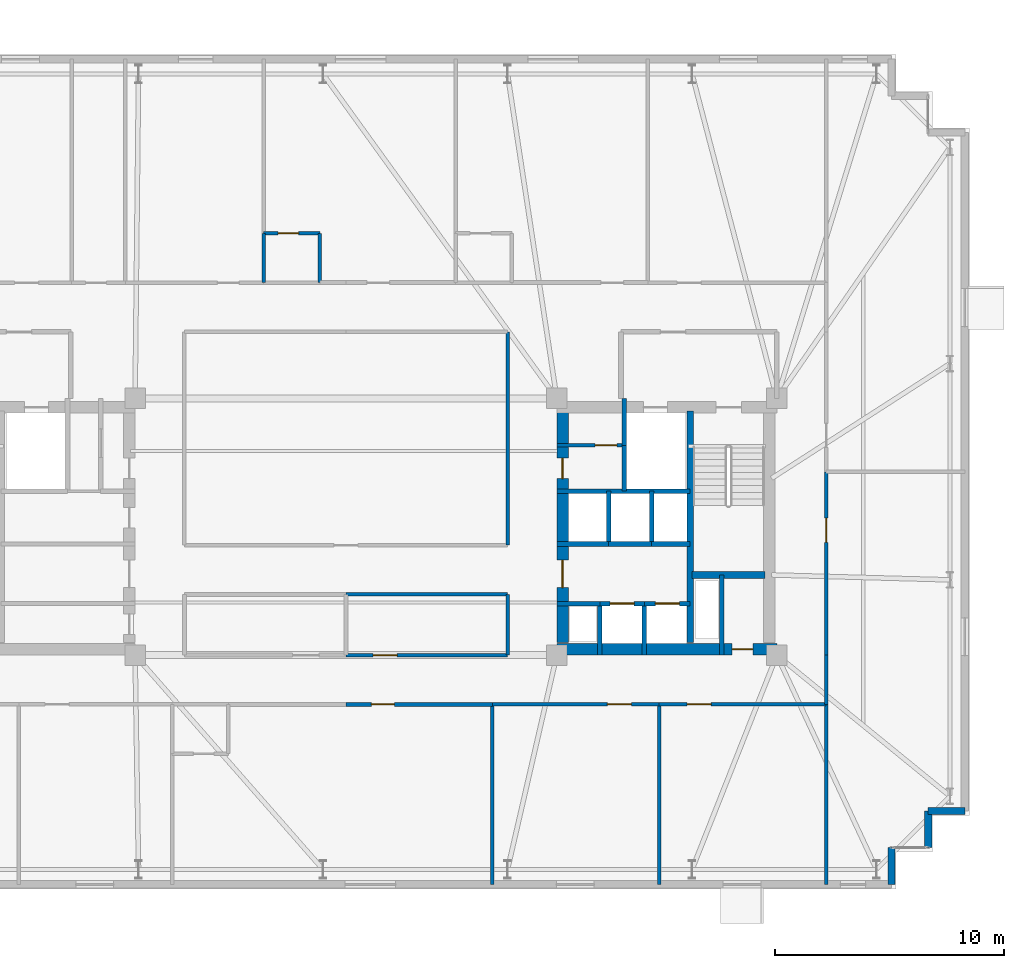
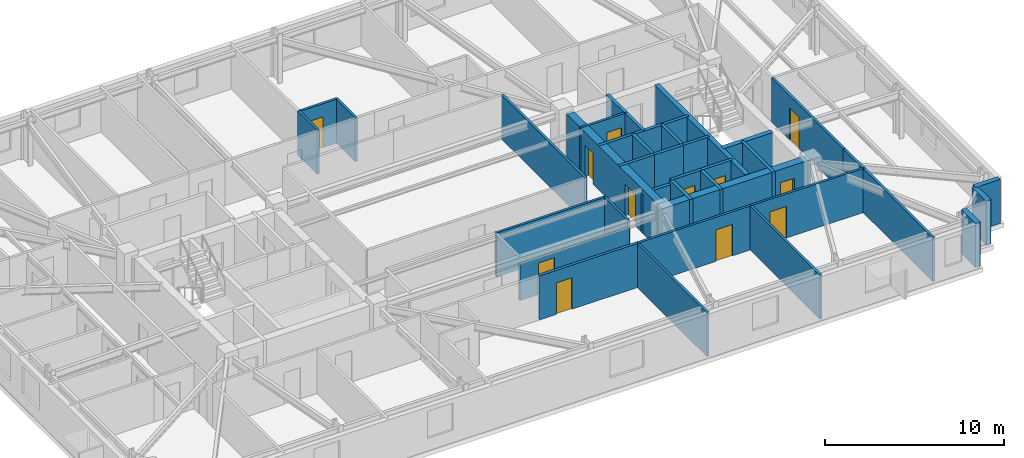
# One storey, part 13 of 17: 37 walls, 12 doors, 12 openings.
"""IFC4 building model written with IfcOpenShell, lengths in metres."""

from ifc_helpers import new_model, si_unit, direction, frame, frame_2d, origin, place, context, subcontext, project, spatial, rectangle, extrude, material, layer, layer_set, type_object, element, fill, save


model = new_model("IFC4")

# Units and contexts
model_context = context("Model", 3, precision=1e-05, world=origin(), true_north=direction((0.0, 1.0)))
body_context = subcontext(model_context, "Body", "Model", "MODEL_VIEW")
ifc_project = project(units=[si_unit("LENGTHUNIT", "METRE"), si_unit("AREAUNIT", "SQUARE_METRE"), si_unit("VOLUMEUNIT", "CUBIC_METRE"), si_unit("PLANEANGLEUNIT", "RADIAN"), si_unit("MASSUNIT", "GRAM", prefix="KILO")], contexts=[model_context])

# Site, building, storey
site_placement = place(None, origin())
site = spatial("IfcSite", under=ifc_project, at=site_placement, CompositionType="ELEMENT")
building_placement = place(site_placement, origin())
building = spatial("IfcBuilding", under=site, at=building_placement, Name="Qobustan Lattice House", CompositionType="ELEMENT")
storey_placement = place(building_placement, frame((0.0, 0.0, 171.199951171875)))
storey = spatial("IfcBuildingStorey", under=building, at=storey_placement, Name="L48", CompositionType="ELEMENT", Elevation=171.199951171875)

# Wall, opening, door
ifc_material_1 = material(Name="Concrete C50/60", Category="concrete")
ifc_layer_1 = layer(ifc_material_1, 0.5)
ifc_layer_set_1 = layer_set([ifc_layer_1], Name="Concrete C50/60")
wall_type_1 = type_object("IfcWallType", Name="WAL-CORE-500", PredefinedType="SHEAR", material=ifc_layer_set_1)
wall_1_placement = place(storey_placement, frame((9.199951171875, -5.35009765625, 0.0), z_axis=(0.0, 0.0, 1.0), x_axis=(1.0, 0.0, 0.0)))
wall_1 = element("IfcWall", 1, at=wall_1_placement, inside=storey, type_object=wall_type_1, Name="L48 split-core shear wall CE-S", PredefinedType="SHEAR", context=body_context, shape_type="SweptSolid", body=[
    extrude(rectangle(XDim=9.60009765625, YDim=0.5, at=frame_2d((4.800048828125, 0.0))), origin(), (0.0, 0.0, 1.0), 3.0),
])
opening_1_placement = place(wall_1_placement, frame((7.64990234375, 0.0, 0.0)))
opening_1 = element("IfcOpeningElement", 2, at=opening_1_placement, cuts=wall_1, Name="Opening RD-01", PredefinedType="OPENING", context=body_context, shape_type="SweptSolid", body=[
    extrude(rectangle(XDim=0.89990234375, YDim=2.10009765625, at=frame_2d((0.449951171875, 1.050048828125))), frame((0.0, 0.260009765625, 0.0), z_axis=(0.0, -1.0, 0.0), x_axis=(1.0, 0.0, 0.0)), (0.0, 0.0, 1.0), 0.52001953125),
])
ifc_material_2 = material(Name="Persian walnut timber and steel frame door", Category="steel")
door_type_1 = type_object("IfcDoorType", Name="DOR-RISER-FD-900x2100", OperationType="NOTDEFINED", PredefinedType="DOOR", material=ifc_material_2)
door_1_placement = place(opening_1_placement, origin())
door_1 = element("IfcDoor", 3, at=door_1_placement, inside=storey, type_object=door_type_1, Name="L48 core service riser access door E", OperationType="SINGLE_SWING_RIGHT", OverallHeight=2.10009765625, OverallWidth=0.89990234375, PredefinedType="DOOR", context=body_context, shape_type="SweptSolid", body=[
    extrude(rectangle(XDim=0.89990234375, YDim=2.10009765625, at=frame_2d((0.449951171875, 1.050048828125))), frame((0.0, 0.02490234375, 0.0), z_axis=(0.0, -1.0, 0.0), x_axis=(1.0, 0.0, 0.0)), (0.0, 0.0, 1.0), 0.050048828125),
])
fill(opening_1, door_1)

# Wall, openings, doors
wall_2_placement = place(storey_placement, frame((9.449951171875, -5.050048828125, 0.0), z_axis=(0.0, 0.0, 1.0), x_axis=(0.0, 1.0, 0.0)))
wall_2 = element("IfcWall", 4, at=wall_2_placement, inside=storey, type_object=wall_type_1, Name="L48 split-core shear wall CE-W", PredefinedType="SHEAR", context=body_context, shape_type="SweptSolid", body=[
    extrude(rectangle(XDim=10.10009765625, YDim=0.5, at=frame_2d((5.050048828125, 0.0))), origin(), (0.0, 0.0, 1.0), 3.0),
])
opening_2_placement = place(wall_2_placement, frame((7.14990234375, 0.0, 0.0)))
opening_2 = element("IfcOpeningElement", 5, at=opening_2_placement, cuts=wall_2, Name="Opening RD-01", PredefinedType="OPENING", context=body_context, shape_type="SweptSolid", body=[
    extrude(rectangle(XDim=0.89990234375, YDim=2.10009765625, at=frame_2d((0.449951171875, 1.050048828125))), frame((0.0, 0.260009765625, 0.0), z_axis=(0.0, -1.0, 0.0), x_axis=(1.0, 0.0, 0.0)), (0.0, 0.0, 1.0), 0.52001953125),
])
opening_3_placement = place(wall_2_placement, frame((2.39990234375, 0.0, 0.0)))
opening_3 = element("IfcOpeningElement", 6, at=opening_3_placement, cuts=wall_2, Name="Opening FD-01", PredefinedType="OPENING", context=body_context, shape_type="SweptSolid", body=[
    extrude(rectangle(XDim=1.199951171875, YDim=2.14990234375, at=frame_2d((0.60009765625, 1.074951171875))), frame((0.0, 0.260009765625, 0.0), z_axis=(0.0, -1.0, 0.0), x_axis=(1.0, 0.0, 0.0)), (0.0, 0.0, 1.0), 0.52001953125),
])
ifc_material_3 = material(Name="Persian walnut timber and steel frame door", Category="steel")
door_type_2 = type_object("IfcDoorType", Name="DOR-LOBBY-FD-1200x2150", OperationType="NOTDEFINED", PredefinedType="DOOR", material=ifc_material_3)
door_2_placement = place(opening_3_placement, origin())
door_2 = element("IfcDoor", 7, at=door_2_placement, inside=storey, type_object=door_type_2, Name="L48 East passenger lift lobby fire door", OperationType="SINGLE_SWING_RIGHT", OverallHeight=2.14990234375, OverallWidth=1.199951171875, PredefinedType="DOOR", context=body_context, shape_type="SweptSolid", body=[
    extrude(rectangle(XDim=1.199951171875, YDim=2.14990234375, at=frame_2d((0.60009765625, 1.074951171875))), frame((0.0, 0.02490234375, 0.0), z_axis=(0.0, -1.0, 0.0), x_axis=(1.0, 0.0, 0.0)), (0.0, 0.0, 1.0), 0.050048828125),
])
fill(opening_3, door_2)
door_3_placement = place(opening_2_placement, origin())
door_3 = element("IfcDoor", 8, at=door_3_placement, inside=storey, type_object=door_type_1, Name="L48 Housekeeping utility foyer fire door", OperationType="SINGLE_SWING_LEFT", OverallHeight=2.10009765625, OverallWidth=0.89990234375, PredefinedType="DOOR", context=body_context, shape_type="SweptSolid", body=[
    extrude(rectangle(XDim=0.89990234375, YDim=2.10009765625, at=frame_2d((0.449951171875, 1.050048828125))), frame((0.0, 0.02490234375, 0.0), z_axis=(0.0, -1.0, 0.0), x_axis=(1.0, 0.0, 0.0)), (0.0, 0.0, 1.0), 0.050048828125),
])
fill(opening_2, door_3)

# Walls
ifc_material_4 = material(Name="Concrete C50/60", Category="concrete")
ifc_layer_2 = layer(ifc_material_4, 0.280029296875)
ifc_layer_set_2 = layer_set([ifc_layer_2], Name="Concrete C50/60")
wall_type_2 = type_object("IfcWallType", Name="WAL-CORE-SPINE-280", PredefinedType="SHEAR", material=ifc_layer_set_2)
wall_3_placement = place(storey_placement, frame((15.02001953125, -5.050048828125, 0.0), z_axis=(0.0, 0.0, 1.0), x_axis=(0.0, 1.0, 0.0)))
element("IfcWall", 9, at=wall_3_placement, inside=storey, type_object=wall_type_2, Name="L48 split-core shear wall CE-M", PredefinedType="SHEAR", context=body_context, shape_type="SweptSolid", body=[
    extrude(rectangle(XDim=10.10009765625, YDim=0.300048828125, at=frame_2d((5.050048828125, 0.0))), origin(), (0.0, 0.0, 1.0), 3.0),
])
wall_4_placement = place(storey_placement, frame((15.10009765625, -2.110107421875, 0.0), z_axis=(0.0, 0.0, 1.0), x_axis=(1.0, 0.0, 0.0)))
element("IfcWall", 10, at=wall_4_placement, inside=storey, type_object=wall_type_2, Name="L48 split-core shear wall CE-ST", PredefinedType="SHEAR", context=body_context, shape_type="SweptSolid", body=[
    extrude(rectangle(XDim=3.179931640625, YDim=0.300048828125, at=frame_2d((1.58984375, 0.0))), origin(), (0.0, 0.0, 1.0), 3.0),
])
ifc_material_5 = material(Name="Precast concrete C40/50", Category="concrete")
ifc_layer_3 = layer(ifc_material_5, 0.320068359375)
ifc_layer_set_3 = layer_set([ifc_layer_3], Name="Precast concrete C40/50")
wall_type_3 = type_object("IfcWallType", Name="WAL-EXT-STONE-320", PredefinedType="SOLIDWALL", material=ifc_layer_set_3)
for number, where, z_axis, x_axis, name in (
    (11, (27.0, -12.39990234375, 0.0), (0.0, 0.0, 1.0), (-1.0, 0.0, 0.0), "L48 exterior limestone-clad wall 16"),
    (12, (25.39990234375, -12.39990234375, 0.0), (0.0, 0.0, 1.0), (0.0, -1.0, 0.0), "L48 exterior limestone-clad wall 17"),
    (13, (23.800048828125, -14.0, 0.0), (0.0, 0.0, 1.0), (0.0, -1.0, 0.0), "L48 exterior limestone-clad wall 19"),
):
    element("IfcWall", number, at=place(storey_placement, frame(where, z_axis=z_axis, x_axis=x_axis)), inside=storey, type_object=wall_type_3, Name=name, PredefinedType="SOLIDWALL", context=body_context, shape_type="SweptSolid", body=[
        extrude(rectangle(XDim=1.60009765625, YDim=0.320068359375, at=frame_2d((0.800048828125, 0.0))), origin(), (0.0, 0.0, 1.0), 3.0),
    ])

# Wall, opening, door
ifc_material_6 = material(Name="Gypsum fireboard acoustic partition", Category="gypsum")
ifc_layer_4 = layer(ifc_material_6, 0.179931640625)
ifc_layer_set_4 = layer_set([ifc_layer_4], Name="Gypsum fireboard acoustic partition")
wall_type_4 = type_object("IfcWallType", Name="WAL-FIRE-180", PredefinedType="PARTITIONING", material=ifc_layer_set_4)
wall_5_placement = place(storey_placement, frame((6.383056640625, -7.75, 0.0), z_axis=(0.0, 0.0, 1.0), x_axis=(-1.0, 0.0, 0.0)))
wall_5 = element("IfcWall", 14, at=wall_5_placement, inside=storey, type_object=wall_type_4, Name="L48 interior partition 55", PredefinedType="PARTITIONING", context=body_context, shape_type="SweptSolid", body=[
    extrude(rectangle(XDim=6.383056640625, YDim=0.179931640625, at=frame_2d((3.19140625, 0.0))), origin(), (0.0, 0.0, 1.0), 3.0),
])
opening_4_placement = place(wall_5_placement, frame((4.275146484375, 0.0, 0.0)))
opening_4 = element("IfcOpeningElement", 15, at=opening_4_placement, cuts=wall_5, Name="Opening FD-02", PredefinedType="OPENING", context=body_context, shape_type="SweptSolid", body=[
    extrude(rectangle(XDim=1.0, YDim=2.14990234375, at=frame_2d((0.5, 1.074951171875))), frame((0.0, 0.099853515625, 0.0), z_axis=(0.0, -1.0, 0.0), x_axis=(1.0, 0.0, 0.0)), (0.0, 0.0, 1.0), 0.199951171875),
])
ifc_material_7 = material(Name="Persian walnut timber and steel frame door", Category="steel")
door_type_3 = type_object("IfcDoorType", Name="DOR-UNIT-FD-1000x2150", OperationType="NOTDEFINED", PredefinedType="DOOR", material=ifc_material_7)
door_4_placement = place(opening_4_placement, origin())
door_4 = element("IfcDoor", 16, at=door_4_placement, inside=storey, type_object=door_type_3, Name="L48 South-east floor corridor to Kitchenette and studio apartment L48-S2 door", OperationType="SINGLE_SWING_LEFT", OverallHeight=2.14990234375, OverallWidth=1.0, PredefinedType="DOOR", context=body_context, shape_type="SweptSolid", body=[
    extrude(rectangle(XDim=1.0, YDim=2.14990234375, at=frame_2d((0.5, 1.074951171875))), frame((0.0, 0.02490234375, 0.0), z_axis=(0.0, -1.0, 0.0), x_axis=(1.0, 0.0, 0.0)), (0.0, 0.0, 1.0), 0.050048828125),
])
fill(opening_4, door_4)

ifc_material_8 = material(Name="Acoustic twin-stud gypsum partition", Category="gypsum")
ifc_layer_5 = layer(ifc_material_8, 0.14990234375)
ifc_layer_set_5 = layer_set([ifc_layer_5], Name="Acoustic twin-stud gypsum partition")
wall_type_5 = type_object("IfcWallType", Name="WAL-PART-150", PredefinedType="PARTITIONING", material=ifc_layer_set_5)
wall_6_placement = place(storey_placement, frame((12.14990234375, 3.550048828125, 0.0), z_axis=(0.0, 0.0, 1.0), x_axis=(-1.0, 0.0, 0.0)))
wall_6 = element("IfcWall", 17, at=wall_6_placement, inside=storey, type_object=wall_type_5, Name="L48 interior partition 21", PredefinedType="PARTITIONING", context=body_context, shape_type="SweptSolid", body=[
    extrude(rectangle(XDim=2.949951171875, YDim=0.14990234375, at=frame_2d((1.47509765625, 0.0))), origin(), (0.0, 0.0, 1.0), 3.0),
])
opening_5_placement = place(wall_6_placement, frame((0.324951171875, 0.0, 0.0)))
opening_5 = element("IfcOpeningElement", 18, at=opening_5_placement, cuts=wall_6, Name="Opening ID-01", PredefinedType="OPENING", context=body_context, shape_type="SweptSolid", body=[
    extrude(rectangle(XDim=0.949951171875, YDim=2.10009765625, at=frame_2d((0.47509765625, 1.050048828125))), frame((0.0, 0.0849609375, 0.0), z_axis=(0.0, -1.0, 0.0), x_axis=(1.0, 0.0, 0.0)), (0.0, 0.0, 1.0), 0.169921875),
])
ifc_material_9 = material(Name="Persian walnut timber and steel frame door", Category="steel")
door_type_4 = type_object("IfcDoorType", Name="DOR-ROOM-950x2100", OperationType="NOTDEFINED", PredefinedType="DOOR", material=ifc_material_9)
door_5_placement = place(opening_5_placement, origin())
door_5 = element("IfcDoor", 19, at=door_5_placement, inside=storey, type_object=door_type_4, Name="L48 Housekeeping utility foyer to Cleaner cupboard door", OperationType="SINGLE_SWING_RIGHT", OverallHeight=2.10009765625, OverallWidth=0.949951171875, PredefinedType="DOOR", context=body_context, shape_type="SweptSolid", body=[
    extrude(rectangle(XDim=0.949951171875, YDim=2.10009765625, at=frame_2d((0.47509765625, 1.050048828125))), frame((0.0, 0.02490234375, 0.0), z_axis=(0.0, -1.0, 0.0), x_axis=(1.0, 0.0, 0.0)), (0.0, 0.0, 1.0), 0.050048828125),
])
fill(opening_5, door_5)

# Wall
wall_7_placement = place(storey_placement, frame((20.949951171875, -5.60009765625, 0.0), z_axis=(0.0, 0.0, 1.0), x_axis=(0.0, -1.0, 0.0)))
element("IfcWall", 20, at=wall_7_placement, inside=storey, type_object=wall_type_5, Name="L48 interior partition 54", PredefinedType="PARTITIONING", context=body_context, shape_type="SweptSolid", body=[
    extrude(rectangle(XDim=2.14990234375, YDim=0.14990234375, at=frame_2d((1.074951171875, 0.0))), origin(), (0.0, 0.0, 1.0), 3.0),
])

# Wall, opening, door
wall_8_placement = place(storey_placement, frame((13.66650390625, -7.75, 0.0), z_axis=(0.0, 0.0, 1.0), x_axis=(-1.0, 0.0, 0.0)))
wall_8 = element("IfcWall", 21, at=wall_8_placement, inside=storey, type_object=wall_type_5, Name="L48 interior partition 56", PredefinedType="PARTITIONING", context=body_context, shape_type="SweptSolid", body=[
    extrude(rectangle(XDim=7.283447265625, YDim=0.14990234375, at=frame_2d((3.6416015625, 0.0))), origin(), (0.0, 0.0, 1.0), 3.0),
])
opening_6_placement = place(wall_8_placement, frame((1.214111328125, 0.0, 0.0)))
opening_6 = element("IfcOpeningElement", 22, at=opening_6_placement, cuts=wall_8, Name="Opening ID-02", PredefinedType="OPENING", context=body_context, shape_type="SweptSolid", body=[
    extrude(rectangle(XDim=1.050048828125, YDim=2.14990234375, at=frame_2d((0.52490234375, 1.074951171875))), frame((0.0, 0.0849609375, 0.0), z_axis=(0.0, -1.0, 0.0), x_axis=(1.0, 0.0, 0.0)), (0.0, 0.0, 1.0), 0.169921875),
])
ifc_material_10 = material(Name="Persian walnut timber and steel frame door", Category="steel")
door_type_5 = type_object("IfcDoorType", Name="DOR-STUDY-1050x2150", OperationType="NOTDEFINED", PredefinedType="DOOR", material=ifc_material_10)
door_6_placement = place(opening_6_placement, origin())
door_6 = element("IfcDoor", 23, at=door_6_placement, inside=storey, type_object=door_type_5, Name="L48 South-east floor corridor to Group study room door", OperationType="SINGLE_SWING_RIGHT", OverallHeight=2.14990234375, OverallWidth=1.050048828125, PredefinedType="DOOR", context=body_context, shape_type="SweptSolid", body=[
    extrude(rectangle(XDim=1.050048828125, YDim=2.14990234375, at=frame_2d((0.52490234375, 1.074951171875))), frame((0.0, 0.02490234375, 0.0), z_axis=(0.0, -1.0, 0.0), x_axis=(1.0, 0.0, 0.0)), (0.0, 0.0, 1.0), 0.050048828125),
])
fill(opening_6, door_6)

wall_9_placement = place(storey_placement, frame((20.949951171875, -7.75, 0.0), z_axis=(0.0, 0.0, 1.0), x_axis=(-1.0, 0.0, 0.0)))
wall_9 = element("IfcWall", 24, at=wall_9_placement, inside=storey, type_object=wall_type_5, Name="L48 interior partition 57", PredefinedType="PARTITIONING", context=body_context, shape_type="SweptSolid", body=[
    extrude(rectangle(XDim=7.283447265625, YDim=0.14990234375, at=frame_2d((3.6416015625, 0.0))), origin(), (0.0, 0.0, 1.0), 3.0),
])
opening_7_placement = place(wall_9_placement, frame((5.019287109375, 0.0, 0.0)))
opening_7 = element("IfcOpeningElement", 25, at=opening_7_placement, cuts=wall_9, Name="Opening ID-02", PredefinedType="OPENING", context=body_context, shape_type="SweptSolid", body=[
    extrude(rectangle(XDim=1.050048828125, YDim=2.14990234375, at=frame_2d((0.52490234375, 1.074951171875))), frame((0.0, 0.0849609375, 0.0), z_axis=(0.0, -1.0, 0.0), x_axis=(1.0, 0.0, 0.0)), (0.0, 0.0, 1.0), 0.169921875),
])
door_7_placement = place(opening_7_placement, origin())
door_7 = element("IfcDoor", 26, at=door_7_placement, inside=storey, type_object=door_type_5, Name="L48 South-east floor corridor to Academic seminar room door", OperationType="SINGLE_SWING_LEFT", OverallHeight=2.14990234375, OverallWidth=1.050048828125, PredefinedType="DOOR", context=body_context, shape_type="SweptSolid", body=[
    extrude(rectangle(XDim=1.050048828125, YDim=2.14990234375, at=frame_2d((0.52490234375, 1.074951171875))), frame((0.0, 0.02490234375, 0.0), z_axis=(0.0, -1.0, 0.0), x_axis=(1.0, 0.0, 0.0)), (0.0, 0.0, 1.0), 0.050048828125),
])
fill(opening_7, door_7)

wall_10_placement = place(storey_placement, frame((0.0, -5.60009765625, 0.0), z_axis=(0.0, 0.0, 1.0), x_axis=(1.0, 0.0, 0.0)))
wall_10 = element("IfcWall", 27, at=wall_10_placement, inside=storey, type_object=wall_type_5, Name="L48 interior partition 58", PredefinedType="PARTITIONING", context=body_context, shape_type="SweptSolid", body=[
    extrude(rectangle(XDim=7.050048828125, YDim=0.14990234375, at=frame_2d((3.52490234375, 0.0))), origin(), (0.0, 0.0, 1.0), 2.485107421875),
])
opening_8_placement = place(wall_10_placement, frame((1.18505859375, 0.0, 0.0)))
opening_8 = element("IfcOpeningElement", 28, at=opening_8_placement, cuts=wall_10, Name="Opening ID-02", PredefinedType="OPENING", context=body_context, shape_type="SweptSolid", body=[
    extrude(rectangle(XDim=1.050048828125, YDim=2.14990234375, at=frame_2d((0.52490234375, 1.074951171875))), frame((0.0, 0.0849609375, 0.0), z_axis=(0.0, -1.0, 0.0), x_axis=(1.0, 0.0, 0.0)), (0.0, 0.0, 1.0), 0.169921875),
])
door_8_placement = place(opening_8_placement, origin())
door_8 = element("IfcDoor", 29, at=door_8_placement, inside=storey, type_object=door_type_5, Name="L48 South-east floor corridor to Silent study room door", OperationType="SINGLE_SWING_RIGHT", OverallHeight=2.14990234375, OverallWidth=1.050048828125, PredefinedType="DOOR", context=body_context, shape_type="SweptSolid", body=[
    extrude(rectangle(XDim=1.050048828125, YDim=2.14990234375, at=frame_2d((0.52490234375, 1.074951171875))), frame((0.0, 0.02490234375, 0.0), z_axis=(0.0, -1.0, 0.0), x_axis=(1.0, 0.0, 0.0)), (0.0, 0.0, 1.0), 0.050048828125),
])
fill(opening_8, door_8)

wall_11_placement = place(storey_placement, frame((20.949951171875, 2.39990234375, 0.0), z_axis=(0.0, 0.0, 1.0), x_axis=(0.0, -1.0, 0.0)))
wall_11 = element("IfcWall", 30, at=wall_11_placement, inside=storey, type_object=wall_type_5, Name="L48 interior partition 60", PredefinedType="PARTITIONING", context=body_context, shape_type="SweptSolid", body=[
    extrude(rectangle(XDim=8.0, YDim=0.14990234375, at=frame_2d((4.0, 0.0))), origin(), (0.0, 0.0, 1.0), 3.0),
])
opening_9_placement = place(wall_11_placement, frame((2.027587890625, 0.0, 0.0)))
opening_9 = element("IfcOpeningElement", 31, at=opening_9_placement, cuts=wall_11, Name="Opening ID-02", PredefinedType="OPENING", context=body_context, shape_type="SweptSolid", body=[
    extrude(rectangle(XDim=1.050048828125, YDim=2.14990234375, at=frame_2d((0.52490234375, 1.074951171875))), frame((0.0, 0.0849609375, 0.0), z_axis=(0.0, -1.0, 0.0), x_axis=(1.0, 0.0, 0.0)), (0.0, 0.0, 1.0), 0.169921875),
])
door_9_placement = place(opening_9_placement, origin())
door_9 = element("IfcDoor", 32, at=door_9_placement, inside=storey, type_object=door_type_5, Name="L48 East wing spine gallery to Fellows reading room door", OperationType="SINGLE_SWING_RIGHT", OverallHeight=2.14990234375, OverallWidth=1.050048828125, PredefinedType="DOOR", context=body_context, shape_type="SweptSolid", body=[
    extrude(rectangle(XDim=1.050048828125, YDim=2.14990234375, at=frame_2d((0.52490234375, 1.074951171875))), frame((0.0, 0.02490234375, 0.0), z_axis=(0.0, -1.0, 0.0), x_axis=(1.0, 0.0, 0.0)), (0.0, 0.0, 1.0), 0.050048828125),
])
fill(opening_9, door_9)

# Walls
wall_12_placement = place(storey_placement, frame((7.050048828125, -2.949951171875, 0.0), z_axis=(0.0, 0.0, 1.0), x_axis=(-1.0, 0.0, 0.0)))
element("IfcWall", 33, at=wall_12_placement, inside=storey, type_object=wall_type_5, Name="L48 interior partition 64", PredefinedType="PARTITIONING", context=body_context, shape_type="SweptSolid", body=[
    extrude(rectangle(XDim=7.050048828125, YDim=0.14990234375, at=frame_2d((3.52490234375, 0.0))), origin(), (0.0, 0.0, 1.0), 3.0),
])
wall_13_placement = place(storey_placement, frame((7.050048828125, -0.800048828125, 0.0), z_axis=(0.0, 0.0, 1.0), x_axis=(0.0, 1.0, 0.0)))
element("IfcWall", 34, at=wall_13_placement, inside=storey, type_object=wall_type_5, Name="L48 interior partition 67", PredefinedType="PARTITIONING", context=body_context, shape_type="SweptSolid", body=[
    extrude(rectangle(XDim=9.300048828125, YDim=0.14990234375, at=frame_2d((4.64990234375, 0.0))), origin(), (0.0, 0.0, 1.0), 3.0),
])
wall_14_placement = place(storey_placement, frame((7.050048828125, -5.60009765625, 0.0), z_axis=(0.0, 0.0, 1.0), x_axis=(0.0, 1.0, 0.0)))
element("IfcWall", 35, at=wall_14_placement, inside=storey, type_object=wall_type_5, Name="L48 interior partition 68", PredefinedType="PARTITIONING", context=body_context, shape_type="SweptSolid", body=[
    extrude(rectangle(XDim=2.650146484375, YDim=0.14990234375, at=frame_2d((1.3251953125, 0.0))), origin(), (0.0, 0.0, 1.0), 3.0),
])
for number, where, z_axis, x_axis, name in (
    (36, (20.949951171875, -15.60009765625, 0.0), (0.0, 0.0, 1.0), (0.0, 1.0, 0.0), "L48 interior partition 87"),
    (37, (6.383056640625, -7.75, 0.0), (0.0, 0.0, 1.0), (0.0, -1.0, 0.0), "L48 interior partition 106"),
    (38, (13.66650390625, -7.75, 0.0), (0.0, 0.0, 1.0), (0.0, -1.0, 0.0), "L48 interior partition 107"),
):
    element("IfcWall", number, at=place(storey_placement, frame(where, z_axis=z_axis, x_axis=x_axis)), inside=storey, type_object=wall_type_5, Name=name, PredefinedType="PARTITIONING", context=body_context, shape_type="SweptSolid", body=[
        extrude(rectangle(XDim=7.85009765625, YDim=0.14990234375, at=frame_2d((3.925048828125, 0.0))), origin(), (0.0, 0.0, 1.0), 3.0),
    ])
ifc_material_11 = material(Name="Concrete C40/50", Category="concrete")
ifc_layer_6 = layer(ifc_material_11, 0.199951171875)
ifc_layer_set_6 = layer_set([ifc_layer_6], Name="Concrete C40/50")
wall_type_6 = type_object("IfcWallType", Name="WAL-SHAFT-200", PredefinedType="PARTITIONING", material=ifc_layer_set_6)
wall_15_placement = place(storey_placement, frame((16.39990234375, -2.110107421875, 0.0), z_axis=(0.0, 0.0, 1.0), x_axis=(0.0, -1.0, 0.0)))
element("IfcWall", 39, at=wall_15_placement, inside=storey, type_object=wall_type_6, Name="L48 interior partition 15", PredefinedType="PARTITIONING", context=body_context, shape_type="SweptSolid", body=[
    extrude(rectangle(XDim=3.489990234375, YDim=0.199951171875, at=frame_2d((1.7451171875, 0.0))), origin(), (0.0, 0.0, 1.0), 3.0),
])
wall_16_placement = place(storey_placement, frame((12.14990234375, 3.550048828125, 0.0), z_axis=(0.0, 0.0, 1.0), x_axis=(0.0, -1.0, 0.0)))
element("IfcWall", 40, at=wall_16_placement, inside=storey, type_object=wall_type_6, Name="L48 interior partition 16", PredefinedType="PARTITIONING", context=body_context, shape_type="SweptSolid", body=[
    extrude(rectangle(XDim=2.0, YDim=0.199951171875, at=frame_2d((1.0, 0.0))), origin(), (0.0, 0.0, 1.0), 3.0),
])
wall_17_placement = place(storey_placement, frame((12.14990234375, 5.60009765625, 0.0), z_axis=(0.0, 0.0, 1.0), x_axis=(0.0, -1.0, 0.0)))
element("IfcWall", 41, at=wall_17_placement, inside=storey, type_object=wall_type_6, Name="L48 interior partition 17", PredefinedType="PARTITIONING", context=body_context, shape_type="SweptSolid", body=[
    extrude(rectangle(XDim=2.050048828125, YDim=0.199951171875, at=frame_2d((1.02490234375, 0.0))), origin(), (0.0, 0.0, 1.0), 3.0),
])
wall_18_placement = place(storey_placement, frame((9.199951171875, -3.35009765625, 0.0), z_axis=(0.0, 0.0, 1.0), x_axis=(1.0, 0.0, 0.0)))
element("IfcWall", 42, at=wall_18_placement, inside=storey, type_object=wall_type_6, Name="L48 interior partition 23", PredefinedType="PARTITIONING", context=body_context, shape_type="SweptSolid", body=[
    extrude(rectangle(XDim=1.880126953125, YDim=0.199951171875, at=frame_2d((0.93994140625, 0.0))), origin(), (0.0, 0.0, 1.0), 2.715087890625),
])

# Wall, opening, door
wall_19_placement = place(storey_placement, frame((11.080078125, -3.35009765625, 0.0), z_axis=(0.0, 0.0, 1.0), x_axis=(1.0, 0.0, 0.0)))
wall_19 = element("IfcWall", 43, at=wall_19_placement, inside=storey, type_object=wall_type_6, Name="L48 interior partition 24", PredefinedType="PARTITIONING", context=body_context, shape_type="SweptSolid", body=[
    extrude(rectangle(XDim=1.93994140625, YDim=0.199951171875, at=frame_2d((0.969970703125, 0.0))), origin(), (0.0, 0.0, 1.0), 3.0),
])
opening_10_placement = place(wall_19_placement, frame((0.445068359375, 0.0, 0.0)))
opening_10 = element("IfcOpeningElement", 44, at=opening_10_placement, cuts=wall_19, Name="Opening LD-01", PredefinedType="OPENING", context=body_context, shape_type="SweptSolid", body=[
    extrude(rectangle(XDim=1.050048828125, YDim=2.10009765625, at=frame_2d((0.52490234375, 1.050048828125))), frame((0.0, 0.10986328125, 0.0), z_axis=(0.0, -1.0, 0.0), x_axis=(1.0, 0.0, 0.0)), (0.0, 0.0, 1.0), 0.219970703125),
])
ifc_material_12 = material(Name="Persian walnut timber and steel frame door", Category="steel")
door_type_6 = type_object("IfcDoorType", Name="DOR-LIFT-LD-1050x2100", OperationType="NOTDEFINED", PredefinedType="DOOR", material=ifc_material_12)
door_10_placement = place(opening_10_placement, origin())
door_10 = element("IfcDoor", 45, at=door_10_placement, inside=storey, type_object=door_type_6, Name="L48 lift landing door", OperationType="DOUBLE_DOOR_SLIDING", OverallHeight=2.10009765625, OverallWidth=1.050048828125, PredefinedType="DOOR", context=body_context, shape_type="SweptSolid", body=[
    extrude(rectangle(XDim=1.050048828125, YDim=2.10009765625, at=frame_2d((0.52490234375, 1.050048828125))), frame((0.0, 0.02490234375, 0.0), z_axis=(0.0, -1.0, 0.0), x_axis=(1.0, 0.0, 0.0)), (0.0, 0.0, 1.0), 0.050048828125),
])
fill(opening_10, door_10)

wall_20_placement = place(storey_placement, frame((13.02001953125, -3.35009765625, 0.0), z_axis=(0.0, 0.0, 1.0), x_axis=(1.0, 0.0, 0.0)))
wall_20 = element("IfcWall", 46, at=wall_20_placement, inside=storey, type_object=wall_type_6, Name="L48 interior partition 25", PredefinedType="PARTITIONING", context=body_context, shape_type="SweptSolid", body=[
    extrude(rectangle(XDim=2.0, YDim=0.199951171875, at=frame_2d((1.0, 0.0))), origin(), (0.0, 0.0, 1.0), 3.0),
])
opening_11_placement = place(wall_20_placement, frame((0.47509765625, 0.0, 0.0)))
opening_11 = element("IfcOpeningElement", 47, at=opening_11_placement, cuts=wall_20, Name="Opening LD-01", PredefinedType="OPENING", context=body_context, shape_type="SweptSolid", body=[
    extrude(rectangle(XDim=1.050048828125, YDim=2.10009765625, at=frame_2d((0.52490234375, 1.050048828125))), frame((0.0, 0.10986328125, 0.0), z_axis=(0.0, -1.0, 0.0), x_axis=(1.0, 0.0, 0.0)), (0.0, 0.0, 1.0), 0.219970703125),
])
door_11_placement = place(opening_11_placement, origin())
door_11 = element("IfcDoor", 48, at=door_11_placement, inside=storey, type_object=door_type_6, Name="L48 lift landing door", OperationType="DOUBLE_DOOR_SLIDING", OverallHeight=2.10009765625, OverallWidth=1.050048828125, PredefinedType="DOOR", context=body_context, shape_type="SweptSolid", body=[
    extrude(rectangle(XDim=1.050048828125, YDim=2.10009765625, at=frame_2d((0.52490234375, 1.050048828125))), frame((0.0, 0.02490234375, 0.0), z_axis=(0.0, -1.0, 0.0), x_axis=(1.0, 0.0, 0.0)), (0.0, 0.0, 1.0), 0.050048828125),
])
fill(opening_11, door_11)

# Walls
wall_21_placement = place(storey_placement, frame((11.4599609375, -0.75, 0.0), z_axis=(0.0, 0.0, 1.0), x_axis=(-1.0, 0.0, 0.0)))
element("IfcWall", 49, at=wall_21_placement, inside=storey, type_object=wall_type_6, Name="L48 interior partition 26", PredefinedType="PARTITIONING", context=body_context, shape_type="SweptSolid", body=[
    extrude(rectangle(XDim=2.260009765625, YDim=0.199951171875, at=frame_2d((1.1298828125, 0.0))), origin(), (0.0, 0.0, 1.0), 3.0),
])
wall_22_placement = place(storey_placement, frame((13.340087890625, -0.75, 0.0), z_axis=(0.0, 0.0, 1.0), x_axis=(-1.0, 0.0, 0.0)))
element("IfcWall", 50, at=wall_22_placement, inside=storey, type_object=wall_type_6, Name="L48 interior partition 27", PredefinedType="PARTITIONING", context=body_context, shape_type="SweptSolid", body=[
    extrude(rectangle(XDim=1.880126953125, YDim=0.199951171875, at=frame_2d((0.93994140625, 0.0))), origin(), (0.0, 0.0, 1.0), 3.0),
])
wall_23_placement = place(storey_placement, frame((15.02001953125, -0.75, 0.0), z_axis=(0.0, 0.0, 1.0), x_axis=(-1.0, 0.0, 0.0)))
element("IfcWall", 51, at=wall_23_placement, inside=storey, type_object=wall_type_6, Name="L48 interior partition 28", PredefinedType="PARTITIONING", context=body_context, shape_type="SweptSolid", body=[
    extrude(rectangle(XDim=1.679931640625, YDim=0.199951171875, at=frame_2d((0.83984375, 0.0))), origin(), (0.0, 0.0, 1.0), 3.0),
])
for number, where, z_axis, x_axis, name in (
    (52, (11.080078125, -5.60009765625, 0.0), (0.0, 0.0, 1.0), (0.0, 1.0, 0.0), "L48 interior partition 30"),
    (53, (13.02001953125, -5.60009765625, 0.0), (0.0, 0.0, 1.0), (0.0, 1.0, 0.0), "L48 interior partition 31"),
):
    element("IfcWall", number, at=place(storey_placement, frame(where, z_axis=z_axis, x_axis=x_axis)), inside=storey, type_object=wall_type_6, Name=name, PredefinedType="PARTITIONING", context=body_context, shape_type="SweptSolid", body=[
        extrude(rectangle(XDim=2.25, YDim=0.199951171875, at=frame_2d((1.125, 0.0))), origin(), (0.0, 0.0, 1.0), 3.0),
    ])
for number, where, z_axis, x_axis, name in (
    (54, (11.4599609375, -0.75, 0.0), (0.0, 0.0, 1.0), (0.0, 1.0, 0.0), "L48 interior partition 32"),
    (55, (13.340087890625, -0.75, 0.0), (0.0, 0.0, 1.0), (0.0, 1.0, 0.0), "L48 interior partition 33"),
):
    element("IfcWall", number, at=place(storey_placement, frame(where, z_axis=z_axis, x_axis=x_axis)), inside=storey, type_object=wall_type_6, Name=name, PredefinedType="PARTITIONING", context=body_context, shape_type="SweptSolid", body=[
        extrude(rectangle(XDim=2.300048828125, YDim=0.199951171875, at=frame_2d((1.14990234375, 0.0))), origin(), (0.0, 0.0, 1.0), 3.0),
    ])
wall_24_placement = place(storey_placement, frame((9.199951171875, 1.550048828125, 0.0), z_axis=(0.0, 0.0, 1.0), x_axis=(1.0, 0.0, 0.0)))
element("IfcWall", 56, at=wall_24_placement, inside=storey, type_object=wall_type_6, Name="L48 interior partition 110", PredefinedType="PARTITIONING", context=body_context, shape_type="SweptSolid", body=[
    extrude(rectangle(XDim=5.820068359375, YDim=0.199951171875, at=frame_2d((2.91015625, 0.0))), origin(), (0.0, 0.0, 1.0), 3.0),
])
ifc_material_13 = material(Name="Moisture-resistant acoustic plumbing wall", Category="gypsum")
ifc_layer_7 = layer(ifc_material_13, 0.14990234375)
ifc_layer_set_7 = layer_set([ifc_layer_7], Name="Moisture-resistant acoustic plumbing wall")
wall_type_7 = type_object("IfcWallType", Name="WAL-WET-150", PredefinedType="PLUMBINGWALL", material=ifc_layer_set_7)
wall_25_placement = place(storey_placement, frame((-3.590087890625, 12.800048828125, 0.0), z_axis=(0.0, 0.0, 1.0), x_axis=(0.0, -1.0, 0.0)))
element("IfcWall", 57, at=wall_25_placement, inside=storey, type_object=wall_type_7, Name="L48 interior partition 93", PredefinedType="PLUMBINGWALL", context=body_context, shape_type="SweptSolid", body=[
    extrude(rectangle(XDim=2.150146484375, YDim=0.14990234375, at=frame_2d((1.0751953125, 0.0))), origin(), (0.0, 0.0, 1.0), 3.0),
])

# Wall, opening, door
wall_26_placement = place(storey_placement, frame((-1.139892578125, 12.800048828125, 0.0), z_axis=(0.0, 0.0, 1.0), x_axis=(-1.0, 0.0, 0.0)))
wall_26 = element("IfcWall", 58, at=wall_26_placement, inside=storey, type_object=wall_type_7, Name="L48 interior partition 94", PredefinedType="PLUMBINGWALL", context=body_context, shape_type="SweptSolid", body=[
    extrude(rectangle(XDim=2.4501953125, YDim=0.14990234375, at=frame_2d((1.22509765625, 0.0))), origin(), (0.0, 0.0, 1.0), 3.0),
])
opening_12_placement = place(wall_26_placement, frame((0.92138671875, 0.0, 0.0)))
opening_12 = element("IfcOpeningElement", 59, at=opening_12_placement, cuts=wall_26, Name="Opening WD-01", PredefinedType="OPENING", context=body_context, shape_type="SweptSolid", body=[
    extrude(rectangle(XDim=0.89990234375, YDim=2.10009765625, at=frame_2d((0.449951171875, 1.050048828125))), frame((0.0, 0.0849609375, 0.0), z_axis=(0.0, -1.0, 0.0), x_axis=(1.0, 0.0, 0.0)), (0.0, 0.0, 1.0), 0.169921875),
])
ifc_material_14 = material(Name="Persian walnut timber and steel frame door", Category="steel")
door_type_7 = type_object("IfcDoorType", Name="DOR-WET-900x2100", OperationType="NOTDEFINED", PredefinedType="DOOR", material=ifc_material_14)
door_12_placement = place(opening_12_placement, origin())
door_12 = element("IfcDoor", 60, at=door_12_placement, inside=storey, type_object=door_type_7, Name="L48 Kitchenette and studio apartment L48-N3 to En-suite bathroom L48-N3 door", OperationType="SINGLE_SWING_LEFT", OverallHeight=2.10009765625, OverallWidth=0.89990234375, PredefinedType="DOOR", context=body_context, shape_type="SweptSolid", body=[
    extrude(rectangle(XDim=0.89990234375, YDim=2.10009765625, at=frame_2d((0.449951171875, 1.050048828125))), frame((0.0, 0.02490234375, 0.0), z_axis=(0.0, -1.0, 0.0), x_axis=(1.0, 0.0, 0.0)), (0.0, 0.0, 1.0), 0.050048828125),
])
fill(opening_12, door_12)

# Wall
wall_27_placement = place(storey_placement, frame((-1.139892578125, 10.64990234375, 0.0), z_axis=(0.0, 0.0, 1.0), x_axis=(0.0, 1.0, 0.0)))
element("IfcWall", 61, at=wall_27_placement, inside=storey, type_object=wall_type_7, Name="L48 interior partition 95", PredefinedType="PLUMBINGWALL", context=body_context, shape_type="SweptSolid", body=[
    extrude(rectangle(XDim=2.150146484375, YDim=0.14990234375, at=frame_2d((1.0751953125, 0.0))), origin(), (0.0, 0.0, 1.0), 3.0),
])

save(model, "model.ifc")
